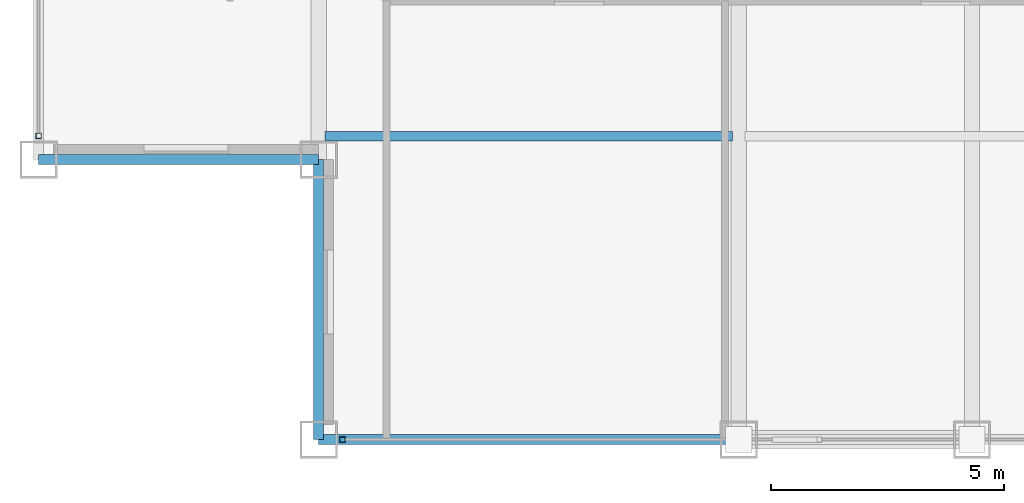
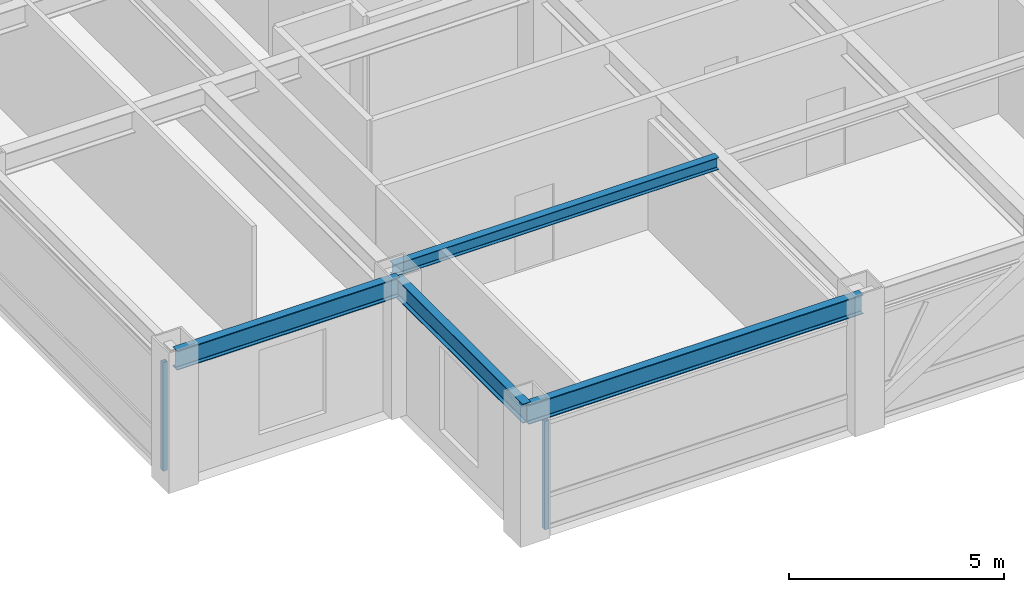
# One storey, part 2 of 28: 4 beams, 2 members, 2 elements without a shape of their own.
"""IFC4 building model written with IfcOpenShell, lengths in metres."""

from ifc_helpers import new_model, si_unit, direction, frame, origin, origin_2d, place, context, subcontext, project, spatial, hollow_rectangle, i_section, extrude, source, transform, mapped, material, material_profile, profile_set, type_object, element, aggregate, save


model = new_model("IFC4")

# Units and contexts
model_context = context("Model", 3, precision=1e-05, world=origin(), true_north=direction((0.0, 1.0)))
body_context = subcontext(model_context, "Body", "Model", "MODEL_VIEW")
ifc_project = project(units=[si_unit("LENGTHUNIT", "METRE"), si_unit("AREAUNIT", "SQUARE_METRE"), si_unit("VOLUMEUNIT", "CUBIC_METRE"), si_unit("PLANEANGLEUNIT", "RADIAN"), si_unit("MASSUNIT", "GRAM", prefix="KILO")], contexts=[model_context])

# Site, building, storey
site_placement = place(None, origin())
site = spatial("IfcSite", under=ifc_project, at=site_placement, CompositionType="ELEMENT")
building_placement = place(site_placement, origin())
building = spatial("IfcBuilding", under=site, at=building_placement, Name="Khorayat Bourse Tower", CompositionType="ELEMENT")
storey_placement = place(building_placement, frame((0.0, 0.0, 330.300048828125)))
storey = spatial("IfcBuildingStorey", under=building, at=storey_placement, Name="L78", CompositionType="ELEMENT", Elevation=330.300048828125)

# Beams
ifc_material_1 = material(Name="Steel ASTM A992 Grade 50", Category="steel")
ifc_material_profile_1 = material_profile(ifc_material_1, i_section(OverallWidth=0.214111328125, OverallDepth=0.549072265625, WebThickness=0.0146484375, FlangeThickness=0.023681640625, FilletRadius=0.013916015625, at=origin_2d()), Name="W530X138")
ifc_profile_set_1 = profile_set([ifc_material_profile_1], Name="Steel ASTM A992 Grade 50")
beam_type_1 = type_object("IfcBeamType", Name="BM-SPAN-530", PredefinedType="SPANDREL", material=ifc_profile_set_1)
shared_shape_1 = source(origin(), body_context, "Body", "SweptSolid", [
    extrude(i_section(OverallWidth=0.214111328125, OverallDepth=0.549072265625, WebThickness=0.0146484375, FlangeThickness=0.023681640625, FilletRadius=0.013916015625, at=origin_2d()), origin(), (0.0, 0.0, 1.0), 9.0),
])
beam_1_placement = place(storey_placement, frame((-20.0, -26.0, 3.46533203125), z_axis=(1.0, 0.0, 0.0), x_axis=(0.0, 1.0, 0.0)))
element("IfcBeam", 1, at=beam_1_placement, inside=storey, type_object=beam_type_1, Name="L78 BM-SPAN-530 BM-L78-SPN-024", PredefinedType="SPANDREL", context=body_context, shape_type="MappedRepresentation", body=[
    mapped(shared_shape_1, transform((0.0, 0.0, 0.0), scale=1.0)),
])
shared_shape_2 = source(origin(), body_context, "Body", "SweptSolid", [
    extrude(i_section(OverallWidth=0.214111328125, OverallDepth=0.549072265625, WebThickness=0.0146484375, FlangeThickness=0.023681640625, FilletRadius=0.013916015625, at=origin_2d()), origin(), (0.0, 0.0, 1.0), 6.0),
])
for number, where, z_axis, x_axis, name in (
    (2, (-26.0, -20.0, 3.46533203125), (1.0, 0.0, 0.0), (0.0, 1.0, 0.0), "L78 BM-SPAN-530 BM-L78-SPN-054"),
    (3, (-20.0, -26.0, 3.46533203125), (0.0, 1.0, 0.0), (-1.0, 0.0, 0.0), "L78 BM-SPAN-530 BM-L78-SPN-055"),
):
    element("IfcBeam", number, at=place(storey_placement, frame(where, z_axis=z_axis, x_axis=x_axis)), inside=storey, type_object=beam_type_1, Name=name, PredefinedType="SPANDREL", context=body_context, shape_type="MappedRepresentation", body=[
        mapped(shared_shape_2, transform((0.0, 0.0, 0.0), scale=1.0)),
    ])
ifc_material_profile_2 = material_profile(ifc_material_1, i_section(OverallWidth=0.202880859375, OverallDepth=0.346923828125, WebThickness=0.0078125, FlangeThickness=0.013427734375, FilletRadius=0.010009765625, at=origin_2d()), Name="W360X64")
ifc_profile_set_2 = profile_set([ifc_material_profile_2], Name="Steel ASTM A992 Grade 50")
beam_type_2 = type_object("IfcBeamType", Name="BM-JOIST-360", PredefinedType="JOIST", material=ifc_profile_set_2)
shared_shape_3 = source(origin(), body_context, "Body", "SweptSolid", [
    extrude(i_section(OverallWidth=0.202880859375, OverallDepth=0.346923828125, WebThickness=0.0078125, FlangeThickness=0.013427734375, FilletRadius=0.010009765625, at=origin_2d()), origin(), (0.0, 0.0, 1.0), 8.740234375),
])
beam_2_placement = place(storey_placement, frame((-19.8701171875, -19.5, 3.56640625), z_axis=(1.0, 0.0, 0.0), x_axis=(0.0, 1.0, 0.0)))
element("IfcBeam", 4, at=beam_2_placement, inside=storey, type_object=beam_type_2, Name="L78 BM-JOIST-360 BM-L78-JSTX-080", PredefinedType="JOIST", context=body_context, shape_type="MappedRepresentation", body=[
    mapped(shared_shape_3, transform((0.0, 0.0, 0.0), scale=1.0)),
])

# Curtain wall, member
ifc_material_2 = material(Name="Aluminium EN AW-6063 T6", Category="aluminium")
curtain_wall_type = type_object("IfcCurtainWallType", Name="CW-SYS-04", PredefinedType="NOTDEFINED", material=ifc_material_2)
curtain_wall_1_placement = place(storey_placement, origin())
curtain_wall_1 = element("IfcCurtainWall", 5, at=curtain_wall_1_placement, inside=storey, type_object=curtain_wall_type, Name="L78 Curtain Wall CW-L78-S1", PredefinedType="NOTDEFINED")
ifc_material_profile_3 = material_profile(ifc_material_2, hollow_rectangle(XDim=0.1201171875, YDim=0.1201171875, WallThickness=0.0048828125, at=origin_2d()), Name="ALU 120x120x5")
ifc_profile_set_3 = profile_set([ifc_material_profile_3], Name="Aluminium EN AW-6063 T6")
member_type = type_object("IfcMemberType", Name="CWM-VERT-120", PredefinedType="MULLION", material=ifc_profile_set_3)
shared_shape_4 = source(origin(), body_context, "Body", "SweptSolid", [
    extrude(hollow_rectangle(XDim=0.1201171875, YDim=0.1201171875, WallThickness=0.0048828125, at=origin_2d()), origin(), (0.0, 0.0, 1.0), 3.08984375),
])
member_1_placement = place(storey_placement, frame((-19.489990234375, -26.0, 0.0), z_axis=(0.0, 0.0, 1.0), x_axis=(0.0, 1.0, 0.0)))
member_1 = element("IfcMember", 6, at=member_1_placement, type_object=member_type, Name="CW-L78-S1 Vertical Mullion 1", PredefinedType="MULLION", context=body_context, shape_type="MappedRepresentation", body=[
    mapped(shared_shape_4, transform((0.0, 0.0, 0.0), scale=1.0)),
])
aggregate(curtain_wall_1, [member_1])

curtain_wall_2_placement = place(storey_placement, origin())
curtain_wall_2 = element("IfcCurtainWall", 7, at=curtain_wall_2_placement, inside=storey, type_object=curtain_wall_type, Name="L78 Curtain Wall CW-L78-W1", PredefinedType="NOTDEFINED")
member_2_placement = place(storey_placement, frame((-26.0, -19.489990234375, 0.0), z_axis=(0.0, 0.0, 1.0), x_axis=(-1.0, 0.0, 0.0)))
member_2 = element("IfcMember", 8, at=member_2_placement, type_object=member_type, Name="CW-L78-W1 Vertical Mullion 1", PredefinedType="MULLION", context=body_context, shape_type="MappedRepresentation", body=[
    mapped(shared_shape_4, transform((0.0, 0.0, 0.0), scale=1.0)),
])
aggregate(curtain_wall_2, [member_2])

save(model, "model.ifc")
